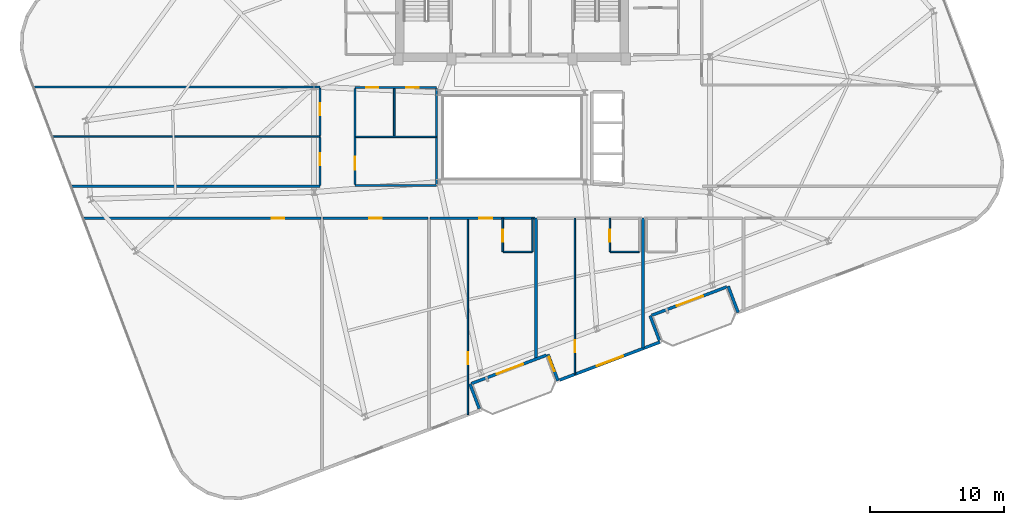
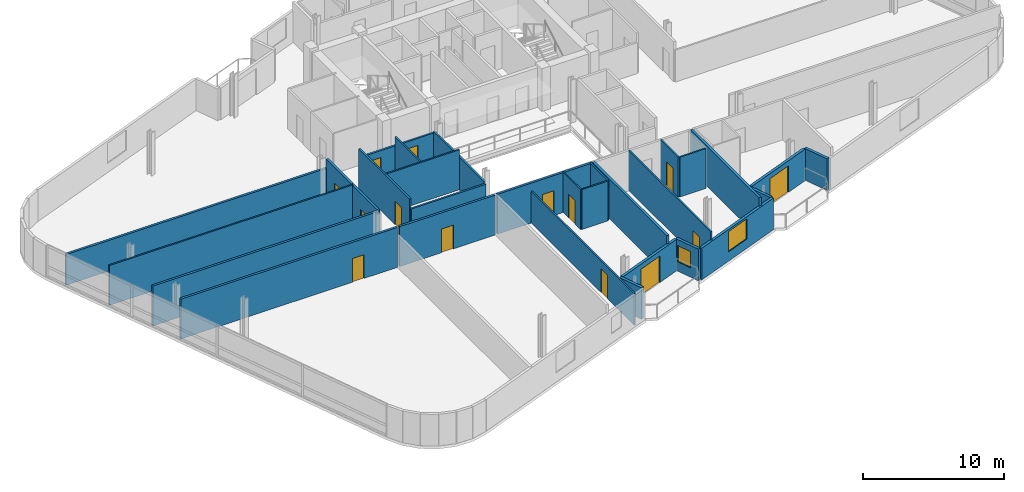
# One storey, part 14 of 20: 30 walls, 14 doors, 2 windows, 16 openings.
"""IFC4 building model written with IfcOpenShell, lengths in metres."""

from ifc_helpers import new_model, si_unit, direction, frame, frame_2d, origin, place, context, subcontext, project, spatial, rectangle, extrude, material, layer, layer_set, type_object, element, fill, save


model = new_model("IFC4")

# Units and contexts
model_context = context("Model", 3, precision=1e-05, world=origin(), true_north=direction((0.0, 1.0)))
body_context = subcontext(model_context, "Body", "Model", "MODEL_VIEW")
ifc_project = project(units=[si_unit("LENGTHUNIT", "METRE"), si_unit("AREAUNIT", "SQUARE_METRE"), si_unit("VOLUMEUNIT", "CUBIC_METRE"), si_unit("PLANEANGLEUNIT", "RADIAN"), si_unit("MASSUNIT", "GRAM", prefix="KILO")], contexts=[model_context])

# Site, building, storey
site_placement = place(None, origin())
site = spatial("IfcSite", under=ifc_project, at=site_placement, CompositionType="ELEMENT")
building_placement = place(site_placement, origin())
building = spatial("IfcBuilding", under=site, at=building_placement, Name="Varnelok Gate Tower", CompositionType="ELEMENT")
storey_placement = place(building_placement, frame((0.0, 0.0, 234.89990234375)))
storey = spatial("IfcBuildingStorey", under=building, at=storey_placement, Name="L60", CompositionType="ELEMENT", Elevation=234.89990234375)

# Wall, opening, door
ifc_material_1 = material(Name="Concrete C45/55", Category="concrete")
ifc_layer_1 = layer(ifc_material_1, 0.219970703125)
ifc_layer_set_1 = layer_set([ifc_layer_1], Name="Concrete C45/55")
wall_type_1 = type_object("IfcWallType", Name="EW-BALC-220", PredefinedType="SOLIDWALL", material=ifc_layer_set_1)
wall_1_placement = place(storey_placement, frame((41.783203125, 6.6142578125, 0.0), z_axis=(0.0, 0.0, 1.0), x_axis=(-0.93521416643, -0.354082565101, 0.0)))
wall_1 = element("IfcWall", 1, at=wall_1_placement, inside=storey, type_object=wall_type_1, Name="L60 South Terrace Envelope Wall 1", PredefinedType="SOLIDWALL", context=body_context, shape_type="SweptSolid", body=[
    extrude(rectangle(XDim=6.0, YDim=0.219970703125, at=frame_2d((3.0, 0.0))), origin(), (0.0, 0.0, 1.0), 2.72998046875),
])
opening_1_placement = place(wall_1_placement, frame((1.887939453125, 0.0, 0.0)))
opening_1 = element("IfcOpeningElement", 2, at=opening_1_placement, cuts=wall_1, Name="Opening BD-2", PredefinedType="OPENING", context=body_context, shape_type="SweptSolid", body=[
    extrude(rectangle(XDim=2.10009765625, YDim=2.300048828125, at=frame_2d((1.050048828125, 1.14990234375))), frame((0.0, 0.119873046875, 0.0), z_axis=(0.0, -1.0, 0.0), x_axis=(1.0, 0.0, 0.0)), (0.0, 0.0, 1.0), 0.239990234375),
])
ifc_material_2 = material(Name="Anodized Aluminum Alloy 6063-T6", Category="aluminium")
door_type_1 = type_object("IfcDoorType", Name="DR-EXT-SLID2100", OperationType="SLIDING_TO_LEFT", PredefinedType="DOOR", material=ifc_material_2)
door_1_placement = place(opening_1_placement, origin())
door_1 = element("IfcDoor", 3, at=door_1_placement, inside=storey, type_object=door_type_1, Name="L60 South Balcony Glazed Door 1", OperationType="SLIDING_TO_LEFT", OverallHeight=2.300048828125, OverallWidth=2.10009765625, PredefinedType="DOOR", context=body_context, shape_type="SweptSolid", body=[
    extrude(rectangle(XDim=2.10009765625, YDim=2.300048828125, at=frame_2d((1.050048828125, 1.14990234375))), frame((0.0, 0.02490234375, 0.0), z_axis=(0.0, -1.0, 0.0), x_axis=(1.0, 0.0, 0.0)), (0.0, 0.0, 1.0), 0.050048828125),
])
fill(opening_1, door_1)

wall_2_placement = place(storey_placement, frame((55.25048828125, 11.712646484375, 0.0), z_axis=(0.0, 0.0, 1.0), x_axis=(-0.935227640088, -0.354046976001, 0.0)))
wall_2 = element("IfcWall", 4, at=wall_2_placement, inside=storey, type_object=wall_type_1, Name="L60 South Terrace Envelope Wall 2", PredefinedType="SOLIDWALL", context=body_context, shape_type="SweptSolid", body=[
    extrude(rectangle(XDim=6.0, YDim=0.219970703125, at=frame_2d((3.0, 0.0))), origin(), (0.0, 0.0, 1.0), 2.72998046875),
])
opening_2_placement = place(wall_2_placement, frame((1.887939453125, 0.0, 0.0)))
opening_2 = element("IfcOpeningElement", 5, at=opening_2_placement, cuts=wall_2, Name="Opening BD-2", PredefinedType="OPENING", context=body_context, shape_type="SweptSolid", body=[
    extrude(rectangle(XDim=2.10009765625, YDim=2.300048828125, at=frame_2d((1.050048828125, 1.14990234375))), frame((0.0, 0.119873046875, 0.0), z_axis=(0.0, -1.0, 0.0), x_axis=(1.0, 0.0, 0.0)), (0.0, 0.0, 1.0), 0.239990234375),
])
door_2_placement = place(opening_2_placement, origin())
door_2 = element("IfcDoor", 6, at=door_2_placement, inside=storey, type_object=door_type_1, Name="L60 South Balcony Glazed Door 2", OperationType="SLIDING_TO_LEFT", OverallHeight=2.300048828125, OverallWidth=2.10009765625, PredefinedType="DOOR", context=body_context, shape_type="SweptSolid", body=[
    extrude(rectangle(XDim=2.10009765625, YDim=2.300048828125, at=frame_2d((1.050048828125, 1.14990234375))), frame((0.0, 0.02490234375, 0.0), z_axis=(0.0, -1.0, 0.0), x_axis=(1.0, 0.0, 0.0)), (0.0, 0.0, 1.0), 0.050048828125),
])
fill(opening_2, door_2)

# Wall
wall_3_placement = place(storey_placement, frame((36.75537109375, 2.609619140625, 0.0), z_axis=(0.0, 0.0, 1.0), x_axis=(-0.354020680661, 0.935237594232, 0.0)))
element("IfcWall", 7, at=wall_3_placement, inside=storey, type_object=wall_type_1, Name="L60 Perimeter Facade Closure Wall 8", PredefinedType="SOLIDWALL", context=body_context, shape_type="SweptSolid", body=[
    extrude(rectangle(XDim=1.97509765625, YDim=0.219970703125, at=frame_2d((0.987548828125, 0.0))), origin(), (0.0, 0.0, 1.0), 2.72998046875),
])

# Wall, opening, window
wall_4_placement = place(storey_placement, frame((41.891845703125, 6.666015625, 0.0), z_axis=(0.0, 0.0, 1.0), x_axis=(0.354128469405, -0.935196785258, 0.0)))
wall_4 = element("IfcWall", 8, at=wall_4_placement, inside=storey, type_object=wall_type_1, Name="L60 Perimeter Facade Closure Wall 9", PredefinedType="SOLIDWALL", context=body_context, shape_type="SweptSolid", body=[
    extrude(rectangle(XDim=2.099853515625, YDim=0.219970703125, at=frame_2d((1.0498046875, 0.0))), origin(), (0.0, 0.0, 1.0), 2.72998046875),
])
opening_3_placement = place(wall_4_placement, frame((0.199951171875, 0.0, 0.800048828125)))
opening_3 = element("IfcOpeningElement", 9, at=opening_3_placement, cuts=wall_4, Name="Opening WN8", PredefinedType="OPENING", context=body_context, shape_type="SweptSolid", body=[
    extrude(rectangle(XDim=1.14990234375, YDim=1.39990234375, at=frame_2d((0.574951171875, 0.699951171875))), frame((0.0, 0.119873046875, 0.0), z_axis=(0.0, -1.0, 0.0), x_axis=(1.0, 0.0, 0.0)), (0.0, 0.0, 1.0), 0.239990234375),
])
ifc_material_3 = material(Name="Low-E Laminated Double Glazing IGU", Category="glass")
window_type_1 = type_object("IfcWindowType", Name="WN-BED-1150", PartitioningType="SINGLE_PANEL", PredefinedType="WINDOW", material=ifc_material_3)
window_1_placement = place(opening_3_placement, origin())
window_1 = element("IfcWindow", 10, at=window_1_placement, inside=storey, type_object=window_type_1, Name="L60 Bedroom Vision Window 41", OverallHeight=1.39990234375, OverallWidth=1.14990234375, PartitioningType="SINGLE_PANEL", PredefinedType="WINDOW", context=body_context, shape_type="SweptSolid", body=[
    extrude(rectangle(XDim=1.14990234375, YDim=1.39990234375, at=frame_2d((0.574951171875, 0.699951171875))), frame((0.0, 0.030029296875, 0.0), z_axis=(0.0, -1.0, 0.0), x_axis=(1.0, 0.0, 0.0)), (0.0, 0.0, 1.0), 0.06005859375),
])
fill(opening_3, window_1)

wall_5_placement = place(storey_placement, frame((42.75244140625, 4.746337890625, 0.0), z_axis=(0.0, 0.0, 1.0), x_axis=(0.935216926991, 0.354075273733, 0.0)))
wall_5 = element("IfcWall", 11, at=wall_5_placement, inside=storey, type_object=wall_type_1, Name="L60 Perimeter Facade Closure Wall 10", PredefinedType="SOLIDWALL", context=body_context, shape_type="SweptSolid", body=[
    extrude(rectangle(XDim=8.034912109375, YDim=0.219970703125, at=frame_2d((4.017578125, 0.0))), origin(), (0.0, 0.0, 1.0), 2.72998046875),
])
opening_4_placement = place(wall_5_placement, frame((2.967529296875, 0.0, 0.800048828125)))
opening_4 = element("IfcOpeningElement", 12, at=opening_4_placement, cuts=wall_5, Name="Opening WN4", PredefinedType="OPENING", context=body_context, shape_type="SweptSolid", body=[
    extrude(rectangle(XDim=2.10009765625, YDim=1.75, at=frame_2d((1.050048828125, 0.875))), frame((0.0, 0.119873046875, 0.0), z_axis=(0.0, -1.0, 0.0), x_axis=(1.0, 0.0, 0.0)), (0.0, 0.0, 1.0), 0.239990234375),
])
window_type_2 = type_object("IfcWindowType", Name="WN-SUI-2100", PartitioningType="SINGLE_PANEL", PredefinedType="WINDOW", material=ifc_material_3)
window_2_placement = place(opening_4_placement, origin())
window_2 = element("IfcWindow", 13, at=window_2_placement, inside=storey, type_object=window_type_2, Name="L60 Perimeter Vision Window 10", OverallHeight=1.75, OverallWidth=2.10009765625, PartitioningType="SINGLE_PANEL", PredefinedType="WINDOW", context=body_context, shape_type="SweptSolid", body=[
    extrude(rectangle(XDim=2.10009765625, YDim=1.75, at=frame_2d((1.050048828125, 0.875))), frame((0.0, 0.030029296875, 0.0), z_axis=(0.0, -1.0, 0.0), x_axis=(1.0, 0.0, 0.0)), (0.0, 0.0, 1.0), 0.06005859375),
])
fill(opening_4, window_2)

# Walls
wall_6_placement = place(storey_placement, frame((50.22265625, 7.7080078125, 0.0), z_axis=(0.0, 0.0, 1.0), x_axis=(-0.354020680661, 0.935237594232, 0.0)))
element("IfcWall", 14, at=wall_6_placement, inside=storey, type_object=wall_type_1, Name="L60 Perimeter Facade Closure Wall 11", PredefinedType="SOLIDWALL", context=body_context, shape_type="SweptSolid", body=[
    extrude(rectangle(XDim=1.97509765625, YDim=0.219970703125, at=frame_2d((0.987548828125, 0.0))), origin(), (0.0, 0.0, 1.0), 2.72998046875),
])
wall_7_placement = place(storey_placement, frame((55.359130859375, 11.764404296875, 0.0), z_axis=(0.0, 0.0, 1.0), x_axis=(0.354026782794, -0.935235284334, 0.0)))
element("IfcWall", 15, at=wall_7_placement, inside=storey, type_object=wall_type_1, Name="L60 Perimeter Facade Closure Wall 12", PredefinedType="SOLIDWALL", context=body_context, shape_type="SweptSolid", body=[
    extrude(rectangle(XDim=2.099853515625, YDim=0.219970703125, at=frame_2d((1.0498046875, 0.0))), origin(), (0.0, 0.0, 1.0), 2.72998046875),
])

# Wall, opening, door
ifc_material_4 = material(Name="Gypsum Plasterboard Acoustic Partition", Category="gypsum")
ifc_layer_2 = layer(ifc_material_4, 0.179931640625)
ifc_layer_set_2 = layer_set([ifc_layer_2], Name="Gypsum Plasterboard Acoustic Partition")
wall_type_2 = type_object("IfcWallType", Name="PW-CORR-180", PredefinedType="PARTITIONING", material=ifc_layer_set_2)
wall_8_placement = place(storey_placement, frame((7.196044921875, 16.85009765625, 0.0), z_axis=(0.0, 0.0, 1.0), x_axis=(1.0, 0.0, 0.0)))
wall_8 = element("IfcWall", 16, at=wall_8_placement, inside=storey, type_object=wall_type_2, Name="Interior Partition", PredefinedType="PARTITIONING", context=body_context, shape_type="SweptSolid", body=[
    extrude(rectangle(XDim=17.723876953125, YDim=0.179931640625, at=frame_2d((8.86181640625, 0.0))), origin(), (0.0, 0.0, 1.0), 3.4501953125),
])
opening_5_placement = place(wall_8_placement, frame((14.02880859375, 0.0, 0.0)))
opening_5 = element("IfcOpeningElement", 17, at=opening_5_placement, cuts=wall_8, Name="Opening D-I2", PredefinedType="OPENING", context=body_context, shape_type="SweptSolid", body=[
    extrude(rectangle(XDim=0.949951171875, YDim=2.050048828125, at=frame_2d((0.47509765625, 1.02490234375))), frame((0.0, 0.099853515625, 0.0), z_axis=(0.0, -1.0, 0.0), x_axis=(1.0, 0.0, 0.0)), (0.0, 0.0, 1.0), 0.199951171875),
])
ifc_material_5 = material(Name="Engineered Hardwood Timber", Category="wood")
door_type_2 = type_object("IfcDoorType", Name="DR-INT-950", OperationType="NOTDEFINED", PredefinedType="DOOR", material=ifc_material_5)
door_3_placement = place(opening_5_placement, origin())
door_3 = element("IfcDoor", 18, at=door_3_placement, inside=storey, type_object=door_type_2, Name="L60 Hotel Business Center Door", OperationType="SINGLE_SWING_LEFT", OverallHeight=2.050048828125, OverallWidth=0.949951171875, PredefinedType="DOOR", context=body_context, shape_type="SweptSolid", body=[
    extrude(rectangle(XDim=0.949951171875, YDim=2.050048828125, at=frame_2d((0.47509765625, 1.02490234375))), frame((0.0, 0.02490234375, 0.0), z_axis=(0.0, -1.0, 0.0), x_axis=(1.0, 0.0, 0.0)), (0.0, 0.0, 1.0), 0.050048828125),
])
fill(opening_5, door_3)

wall_9_placement = place(storey_placement, frame((25.080078125, 16.85009765625, 0.0), z_axis=(0.0, 0.0, 1.0), x_axis=(1.0, 0.0, 0.0)))
wall_9 = element("IfcWall", 19, at=wall_9_placement, inside=storey, type_object=wall_type_2, Name="Interior Partition", PredefinedType="PARTITIONING", context=body_context, shape_type="SweptSolid", body=[
    extrude(rectangle(XDim=7.83984375, YDim=0.179931640625, at=frame_2d((3.919921875, 0.0))), origin(), (0.0, 0.0, 1.0), 3.4501953125),
])
opening_6_placement = place(wall_9_placement, frame((3.445068359375, 0.0, 0.0)))
opening_6 = element("IfcOpeningElement", 20, at=opening_6_placement, cuts=wall_9, Name="Opening D-I2", PredefinedType="OPENING", context=body_context, shape_type="SweptSolid", body=[
    extrude(rectangle(XDim=0.949951171875, YDim=2.050048828125, at=frame_2d((0.47509765625, 1.02490234375))), frame((0.0, 0.099853515625, 0.0), z_axis=(0.0, -1.0, 0.0), x_axis=(1.0, 0.0, 0.0)), (0.0, 0.0, 1.0), 0.199951171875),
])
door_4_placement = place(opening_6_placement, origin())
door_4 = element("IfcDoor", 21, at=door_4_placement, inside=storey, type_object=door_type_2, Name="L60 Executive Business Office 1 Door", OperationType="SINGLE_SWING_LEFT", OverallHeight=2.050048828125, OverallWidth=0.949951171875, PredefinedType="DOOR", context=body_context, shape_type="SweptSolid", body=[
    extrude(rectangle(XDim=0.949951171875, YDim=2.050048828125, at=frame_2d((0.47509765625, 1.02490234375))), frame((0.0, 0.02490234375, 0.0), z_axis=(0.0, -1.0, 0.0), x_axis=(1.0, 0.0, 0.0)), (0.0, 0.0, 1.0), 0.050048828125),
])
fill(opening_6, door_4)

wall_10_placement = place(storey_placement, frame((33.080078125, 16.85009765625, 0.0), z_axis=(0.0, 0.0, 1.0), x_axis=(1.0, 0.0, 0.0)))
wall_10 = element("IfcWall", 22, at=wall_10_placement, inside=storey, type_object=wall_type_2, Name="Interior Partition", PredefinedType="PARTITIONING", context=body_context, shape_type="SweptSolid", body=[
    extrude(rectangle(XDim=7.83984375, YDim=0.179931640625, at=frame_2d((3.919921875, 0.0))), origin(), (0.0, 0.0, 1.0), 3.4501953125),
])
opening_7_placement = place(wall_10_placement, frame((3.679931640625, 0.0, 0.0)))
opening_7 = element("IfcOpeningElement", 23, at=opening_7_placement, cuts=wall_10, Name="Opening D-HT", PredefinedType="OPENING", context=body_context, shape_type="SweptSolid", body=[
    extrude(rectangle(XDim=0.949951171875, YDim=2.14990234375, at=frame_2d((0.47509765625, 1.074951171875))), frame((0.0, 0.099853515625, 0.0), z_axis=(0.0, -1.0, 0.0), x_axis=(1.0, 0.0, 0.0)), (0.0, 0.0, 1.0), 0.199951171875),
])
door_type_3 = type_object("IfcDoorType", Name="DR-HTL-950", OperationType="NOTDEFINED", PredefinedType="DOOR", material=ifc_material_5)
door_5_placement = place(opening_7_placement, origin())
door_5 = element("IfcDoor", 24, at=door_5_placement, inside=storey, type_object=door_type_3, Name="L60 Guest Room 03 Entrance Door", OperationType="SINGLE_SWING_RIGHT", OverallHeight=2.14990234375, OverallWidth=0.949951171875, PredefinedType="DOOR", context=body_context, shape_type="SweptSolid", body=[
    extrude(rectangle(XDim=0.949951171875, YDim=2.14990234375, at=frame_2d((0.47509765625, 1.074951171875))), frame((0.0, 0.02490234375, 0.0), z_axis=(0.0, -1.0, 0.0), x_axis=(1.0, 0.0, 0.0)), (0.0, 0.0, 1.0), 0.050048828125),
])
fill(opening_7, door_5)

wall_11_placement = place(storey_placement, frame((24.85009765625, 19.300048828125, 0.0), z_axis=(0.0, 0.0, 1.0), x_axis=(0.0, 1.0, 0.0)))
wall_11 = element("IfcWall", 25, at=wall_11_placement, inside=storey, type_object=wall_type_2, Name="Interior Partition", PredefinedType="PARTITIONING", context=body_context, shape_type="SweptSolid", body=[
    extrude(rectangle(XDim=3.570068359375, YDim=0.179931640625, at=frame_2d((1.78515625, 0.0))), origin(), (0.0, 0.0, 1.0), 3.4501953125),
])
opening_8_placement = place(wall_11_placement, frame((1.49951171875, 0.0, 0.0)))
opening_8 = element("IfcOpeningElement", 26, at=opening_8_placement, cuts=wall_11, Name="Opening D-I3", PredefinedType="OPENING", context=body_context, shape_type="SweptSolid", body=[
    extrude(rectangle(XDim=0.919921875, YDim=2.050048828125, at=frame_2d((0.4599609375, 1.02490234375))), frame((0.0, 0.099853515625, 0.0), z_axis=(0.0, -1.0, 0.0), x_axis=(1.0, 0.0, 0.0)), (0.0, 0.0, 1.0), 0.199951171875),
])
door_type_4 = type_object("IfcDoorType", Name="DR-INT-920", OperationType="NOTDEFINED", PredefinedType="DOOR", material=ifc_material_5)
door_6_placement = place(opening_8_placement, origin())
door_6 = element("IfcDoor", 27, at=door_6_placement, inside=storey, type_object=door_type_4, Name="L60 West Wing Room 1 Door", OperationType="SINGLE_SWING_LEFT", OverallHeight=2.050048828125, OverallWidth=0.919921875, PredefinedType="DOOR", context=body_context, shape_type="SweptSolid", body=[
    extrude(rectangle(XDim=0.919921875, YDim=2.050048828125, at=frame_2d((0.4599609375, 1.02490234375))), frame((0.0, 0.02490234375, 0.0), z_axis=(0.0, -1.0, 0.0), x_axis=(1.0, 0.0, 0.0)), (0.0, 0.0, 1.0), 0.050048828125),
])
fill(opening_8, door_6)

wall_12_placement = place(storey_placement, frame((24.85009765625, 23.030029296875, 0.0), z_axis=(0.0, 0.0, 1.0), x_axis=(0.0, 1.0, 0.0)))
wall_12 = element("IfcWall", 28, at=wall_12_placement, inside=storey, type_object=wall_type_2, Name="Interior Partition", PredefinedType="PARTITIONING", context=body_context, shape_type="SweptSolid", body=[
    extrude(rectangle(XDim=3.570068359375, YDim=0.179931640625, at=frame_2d((1.78515625, 0.0))), origin(), (0.0, 0.0, 1.0), 3.4501953125),
])
opening_9_placement = place(wall_12_placement, frame((1.49951171875, 0.0, 0.0)))
opening_9 = element("IfcOpeningElement", 29, at=opening_9_placement, cuts=wall_12, Name="Opening D-I3", PredefinedType="OPENING", context=body_context, shape_type="SweptSolid", body=[
    extrude(rectangle(XDim=0.919921875, YDim=2.050048828125, at=frame_2d((0.4599609375, 1.02490234375))), frame((0.0, 0.099853515625, 0.0), z_axis=(0.0, -1.0, 0.0), x_axis=(1.0, 0.0, 0.0)), (0.0, 0.0, 1.0), 0.199951171875),
])
door_7_placement = place(opening_9_placement, origin())
door_7 = element("IfcDoor", 30, at=door_7_placement, inside=storey, type_object=door_type_4, Name="L60 West Wing Room 2 Door", OperationType="SINGLE_SWING_RIGHT", OverallHeight=2.050048828125, OverallWidth=0.919921875, PredefinedType="DOOR", context=body_context, shape_type="SweptSolid", body=[
    extrude(rectangle(XDim=0.919921875, YDim=2.050048828125, at=frame_2d((0.4599609375, 1.02490234375))), frame((0.0, 0.02490234375, 0.0), z_axis=(0.0, -1.0, 0.0), x_axis=(1.0, 0.0, 0.0)), (0.0, 0.0, 1.0), 0.050048828125),
])
fill(opening_9, door_7)

# Walls
wall_13_placement = place(storey_placement, frame((6.291259765625, 19.239990234375, 0.0), z_axis=(0.0, 0.0, 1.0), x_axis=(1.0, 0.0, 0.0)))
element("IfcWall", 31, at=wall_13_placement, inside=storey, type_object=wall_type_2, Name="Interior Partition", PredefinedType="PARTITIONING", context=body_context, shape_type="SweptSolid", body=[
    extrude(rectangle(XDim=18.558837890625, YDim=0.179931640625, at=frame_2d((9.279296875, 0.0))), origin(), (0.0, 0.0, 1.0), 3.4501953125),
])
wall_14_placement = place(storey_placement, frame((3.482177734375, 26.659912109375, 0.0), z_axis=(0.0, 0.0, 1.0), x_axis=(1.0, 0.0, 0.0)))
element("IfcWall", 32, at=wall_14_placement, inside=storey, type_object=wall_type_2, Name="Interior Partition", PredefinedType="PARTITIONING", context=body_context, shape_type="SweptSolid", body=[
    extrude(rectangle(XDim=21.367919921875, YDim=0.179931640625, at=frame_2d((10.68408203125, 0.0))), origin(), (0.0, 0.0, 1.0), 2.662109375),
])
ifc_layer_3 = layer(ifc_material_4, 0.114990234375)
ifc_layer_set_3 = layer_set([ifc_layer_3], Name="Gypsum Plasterboard Acoustic Partition")
wall_type_3 = type_object("IfcWallType", Name="PW-ENS-125", PredefinedType="PARTITIONING", material=ifc_layer_set_3)
wall_15_placement = place(storey_placement, frame((38.550048828125, 14.330078125, 0.0), z_axis=(0.0, 0.0, 1.0), x_axis=(1.0, 0.0, 0.0)))
element("IfcWall", 33, at=wall_15_placement, inside=storey, type_object=wall_type_3, Name="Interior Partition", PredefinedType="PARTITIONING", context=body_context, shape_type="SweptSolid", body=[
    extrude(rectangle(XDim=2.14990234375, YDim=0.114990234375, at=frame_2d((1.074951171875, 0.0))), origin(), (0.0, 0.0, 1.0), 3.4501953125),
])

# Wall, opening, door
wall_16_placement = place(storey_placement, frame((38.510009765625, 14.330078125, 0.0), z_axis=(0.0, 0.0, 1.0), x_axis=(0.0, 1.0, 0.0)))
wall_16 = element("IfcWall", 34, at=wall_16_placement, inside=storey, type_object=wall_type_3, Name="Interior Partition", PredefinedType="PARTITIONING", context=body_context, shape_type="SweptSolid", body=[
    extrude(rectangle(XDim=2.52001953125, YDim=0.114990234375, at=frame_2d((1.260009765625, 0.0))), origin(), (0.0, 0.0, 1.0), 3.4501953125),
])
opening_10_placement = place(wall_16_placement, frame((0.760009765625, 0.0, 0.0)))
opening_10 = element("IfcOpeningElement", 35, at=opening_10_placement, cuts=wall_16, Name="Opening D-WC", PredefinedType="OPENING", context=body_context, shape_type="SweptSolid", body=[
    extrude(rectangle(XDim=0.89990234375, YDim=2.050048828125, at=frame_2d((0.449951171875, 1.02490234375))), frame((0.0, 0.0673828125, 0.0), z_axis=(0.0, -1.0, 0.0), x_axis=(1.0, 0.0, 0.0)), (0.0, 0.0, 1.0), 0.135009765625),
])
door_type_5 = type_object("IfcDoorType", Name="DR-BATH-900", OperationType="NOTDEFINED", PredefinedType="DOOR", material=ifc_material_5)
door_8_placement = place(opening_10_placement, origin())
door_8 = element("IfcDoor", 36, at=door_8_placement, inside=storey, type_object=door_type_5, Name="L60 Guest En-Suite 03 Door", OperationType="SINGLE_SWING_RIGHT", OverallHeight=2.050048828125, OverallWidth=0.89990234375, PredefinedType="DOOR", context=body_context, shape_type="SweptSolid", body=[
    extrude(rectangle(XDim=0.89990234375, YDim=2.050048828125, at=frame_2d((0.449951171875, 1.02490234375))), frame((0.0, 0.02490234375, 0.0), z_axis=(0.0, -1.0, 0.0), x_axis=(1.0, 0.0, 0.0)), (0.0, 0.0, 1.0), 0.050048828125),
])
fill(opening_10, door_8)

# Walls
wall_17_placement = place(storey_placement, frame((40.739990234375, 14.330078125, 0.0), z_axis=(0.0, 0.0, 1.0), x_axis=(0.0, 1.0, 0.0)))
element("IfcWall", 37, at=wall_17_placement, inside=storey, type_object=wall_type_3, Name="Interior Partition", PredefinedType="PARTITIONING", context=body_context, shape_type="SweptSolid", body=[
    extrude(rectangle(XDim=2.52001953125, YDim=0.114990234375, at=frame_2d((1.260009765625, 0.0))), origin(), (0.0, 0.0, 1.0), 3.4501953125),
])
wall_18_placement = place(storey_placement, frame((46.550048828125, 14.330078125, 0.0), z_axis=(0.0, 0.0, 1.0), x_axis=(1.0, 0.0, 0.0)))
element("IfcWall", 38, at=wall_18_placement, inside=storey, type_object=wall_type_3, Name="Interior Partition", PredefinedType="PARTITIONING", context=body_context, shape_type="SweptSolid", body=[
    extrude(rectangle(XDim=2.14990234375, YDim=0.114990234375, at=frame_2d((1.074951171875, 0.0))), origin(), (0.0, 0.0, 1.0), 3.4501953125),
])

# Wall, opening, door
wall_19_placement = place(storey_placement, frame((46.510009765625, 14.330078125, 0.0), z_axis=(0.0, 0.0, 1.0), x_axis=(0.0, 1.0, 0.0)))
wall_19 = element("IfcWall", 39, at=wall_19_placement, inside=storey, type_object=wall_type_3, Name="Interior Partition", PredefinedType="PARTITIONING", context=body_context, shape_type="SweptSolid", body=[
    extrude(rectangle(XDim=2.52001953125, YDim=0.114990234375, at=frame_2d((1.260009765625, 0.0))), origin(), (0.0, 0.0, 1.0), 3.4501953125),
])
opening_11_placement = place(wall_19_placement, frame((0.760009765625, 0.0, 0.0)))
opening_11 = element("IfcOpeningElement", 40, at=opening_11_placement, cuts=wall_19, Name="Opening D-WC", PredefinedType="OPENING", context=body_context, shape_type="SweptSolid", body=[
    extrude(rectangle(XDim=0.89990234375, YDim=2.050048828125, at=frame_2d((0.449951171875, 1.02490234375))), frame((0.0, 0.0673828125, 0.0), z_axis=(0.0, -1.0, 0.0), x_axis=(1.0, 0.0, 0.0)), (0.0, 0.0, 1.0), 0.135009765625),
])
door_9_placement = place(opening_11_placement, origin())
door_9 = element("IfcDoor", 41, at=door_9_placement, inside=storey, type_object=door_type_5, Name="L60 Guest En-Suite 04 Door", OperationType="SINGLE_SWING_RIGHT", OverallHeight=2.050048828125, OverallWidth=0.89990234375, PredefinedType="DOOR", context=body_context, shape_type="SweptSolid", body=[
    extrude(rectangle(XDim=0.89990234375, YDim=2.050048828125, at=frame_2d((0.449951171875, 1.02490234375))), frame((0.0, 0.02490234375, 0.0), z_axis=(0.0, -1.0, 0.0), x_axis=(1.0, 0.0, 0.0)), (0.0, 0.0, 1.0), 0.050048828125),
])
fill(opening_11, door_9)

ifc_layer_4 = layer(ifc_material_4, 0.125)
ifc_layer_set_4 = layer_set([ifc_layer_4], Name="Gypsum Plasterboard Acoustic Partition")
wall_type_4 = type_object("IfcWallType", Name="PW-PART-125", PredefinedType="PARTITIONING", material=ifc_layer_set_4)
wall_20_placement = place(storey_placement, frame((35.89990234375, 2.173583984375, 0.0), z_axis=(0.0, 0.0, 1.0), x_axis=(0.0, 1.0, 0.0)))
wall_20 = element("IfcWall", 42, at=wall_20_placement, inside=storey, type_object=wall_type_4, Name="Interior Partition", PredefinedType="PARTITIONING", context=body_context, shape_type="SweptSolid", body=[
    extrude(rectangle(XDim=14.676513671875, YDim=0.125, at=frame_2d((7.33837890625, 0.0))), origin(), (0.0, 0.0, 1.0), 2.739013671875),
])
opening_12_placement = place(wall_20_placement, frame((3.75244140625, 0.0, 0.0)))
opening_12 = element("IfcOpeningElement", 43, at=opening_12_placement, cuts=wall_20, Name="Opening D-I3", PredefinedType="OPENING", context=body_context, shape_type="SweptSolid", body=[
    extrude(rectangle(XDim=0.919921875, YDim=2.050048828125, at=frame_2d((0.4599609375, 1.02490234375))), frame((0.0, 0.072509765625, 0.0), z_axis=(0.0, -1.0, 0.0), x_axis=(1.0, 0.0, 0.0)), (0.0, 0.0, 1.0), 0.14501953125),
])
door_10_placement = place(opening_12_placement, origin())
door_10 = element("IfcDoor", 44, at=door_10_placement, inside=storey, type_object=door_type_4, Name="L60 Suite Bedroom Door 3", OperationType="SINGLE_SWING_LEFT", OverallHeight=2.050048828125, OverallWidth=0.919921875, PredefinedType="DOOR", context=body_context, shape_type="SweptSolid", body=[
    extrude(rectangle(XDim=0.919921875, YDim=2.050048828125, at=frame_2d((0.4599609375, 1.02490234375))), frame((0.0, 0.02490234375, 0.0), z_axis=(0.0, -1.0, 0.0), x_axis=(1.0, 0.0, 0.0)), (0.0, 0.0, 1.0), 0.050048828125),
])
fill(opening_12, door_10)

wall_21_placement = place(storey_placement, frame((43.89990234375, 5.2021484375, 0.0), z_axis=(0.0, 0.0, 1.0), x_axis=(0.0, 1.0, 0.0)))
wall_21 = element("IfcWall", 45, at=wall_21_placement, inside=storey, type_object=wall_type_4, Name="Interior Partition", PredefinedType="PARTITIONING", context=body_context, shape_type="SweptSolid", body=[
    extrude(rectangle(XDim=11.64794921875, YDim=0.125, at=frame_2d((5.823974609375, 0.0))), origin(), (0.0, 0.0, 1.0), 3.4501953125),
])
opening_13_placement = place(wall_21_placement, frame((1.610107421875, 0.0, 0.0)))
opening_13 = element("IfcOpeningElement", 46, at=opening_13_placement, cuts=wall_21, Name="Opening D-I3", PredefinedType="OPENING", context=body_context, shape_type="SweptSolid", body=[
    extrude(rectangle(XDim=0.919921875, YDim=2.050048828125, at=frame_2d((0.4599609375, 1.02490234375))), frame((0.0, 0.072509765625, 0.0), z_axis=(0.0, -1.0, 0.0), x_axis=(1.0, 0.0, 0.0)), (0.0, 0.0, 1.0), 0.14501953125),
])
door_11_placement = place(opening_13_placement, origin())
door_11 = element("IfcDoor", 47, at=door_11_placement, inside=storey, type_object=door_type_4, Name="L60 Suite Bedroom Door 4", OperationType="SINGLE_SWING_LEFT", OverallHeight=2.050048828125, OverallWidth=0.919921875, PredefinedType="DOOR", context=body_context, shape_type="SweptSolid", body=[
    extrude(rectangle(XDim=0.919921875, YDim=2.050048828125, at=frame_2d((0.4599609375, 1.02490234375))), frame((0.0, 0.02490234375, 0.0), z_axis=(0.0, -1.0, 0.0), x_axis=(1.0, 0.0, 0.0)), (0.0, 0.0, 1.0), 0.050048828125),
])
fill(opening_13, door_11)

# Walls
wall_22_placement = place(storey_placement, frame((4.88671875, 22.949951171875, 0.0), z_axis=(0.0, 0.0, 1.0), x_axis=(1.0, 0.0, 0.0)))
element("IfcWall", 48, at=wall_22_placement, inside=storey, type_object=wall_type_4, Name="Interior Partition", PredefinedType="PARTITIONING", context=body_context, shape_type="SweptSolid", body=[
    extrude(rectangle(XDim=19.96337890625, YDim=0.125, at=frame_2d((9.981689453125, 0.0))), origin(), (0.0, 0.0, 1.0), 3.4501953125),
])
wall_23_placement = place(storey_placement, frame((27.52001953125, 22.929931640625, 0.0), z_axis=(0.0, 0.0, 1.0), x_axis=(1.0, 0.0, 0.0)))
element("IfcWall", 49, at=wall_23_placement, inside=storey, type_object=wall_type_4, Name="Interior Partition", PredefinedType="PARTITIONING", context=body_context, shape_type="SweptSolid", body=[
    extrude(rectangle(XDim=6.0, YDim=0.125, at=frame_2d((3.0, 0.0))), origin(), (0.0, 0.0, 1.0), 3.4501953125),
])
wall_24_placement = place(storey_placement, frame((30.39990234375, 23.0, 0.0), z_axis=(0.0, 0.0, 1.0), x_axis=(0.0, 1.0, 0.0)))
element("IfcWall", 50, at=wall_24_placement, inside=storey, type_object=wall_type_4, Name="Interior Partition", PredefinedType="PARTITIONING", context=body_context, shape_type="SweptSolid", body=[
    extrude(rectangle(XDim=3.5400390625, YDim=0.125, at=frame_2d((1.77001953125, 0.0))), origin(), (0.0, 0.0, 1.0), 3.4501953125),
])
ifc_layer_5 = layer(ifc_material_4, 0.14990234375)
ifc_layer_set_5 = layer_set([ifc_layer_5], Name="Gypsum Plasterboard Acoustic Partition")
wall_type_5 = type_object("IfcWallType", Name="PW-PART-150", PredefinedType="PARTITIONING", material=ifc_layer_set_5)
wall_25_placement = place(storey_placement, frame((27.4599609375, 19.300048828125, 0.0), z_axis=(0.0, 0.0, 1.0), x_axis=(1.0, 0.0, 0.0)))
element("IfcWall", 51, at=wall_25_placement, inside=storey, type_object=wall_type_5, Name="Interior Partition", PredefinedType="PARTITIONING", context=body_context, shape_type="SweptSolid", body=[
    extrude(rectangle(XDim=6.10009765625, YDim=0.14990234375, at=frame_2d((3.050048828125, 0.0))), origin(), (0.0, 0.0, 1.0), 2.662109375),
])

# Wall, openings, doors
wall_26_placement = place(storey_placement, frame((27.4599609375, 26.6201171875, 0.0), z_axis=(0.0, 0.0, 1.0), x_axis=(1.0, 0.0, 0.0)))
wall_26 = element("IfcWall", 52, at=wall_26_placement, inside=storey, type_object=wall_type_5, Name="Interior Partition", PredefinedType="PARTITIONING", context=body_context, shape_type="SweptSolid", body=[
    extrude(rectangle(XDim=6.10009765625, YDim=0.14990234375, at=frame_2d((3.050048828125, 0.0))), origin(), (0.0, 0.0, 1.0), 2.662109375),
])
opening_14_placement = place(wall_26_placement, frame((0.85009765625, 0.0, 0.0)))
opening_14 = element("IfcOpeningElement", 53, at=opening_14_placement, cuts=wall_26, Name="Opening D-WC", PredefinedType="OPENING", context=body_context, shape_type="SweptSolid", body=[
    extrude(rectangle(XDim=0.89990234375, YDim=2.050048828125, at=frame_2d((0.449951171875, 1.02490234375))), frame((0.0, 0.0849609375, 0.0), z_axis=(0.0, -1.0, 0.0), x_axis=(1.0, 0.0, 0.0)), (0.0, 0.0, 1.0), 0.169921875),
])
opening_15_placement = place(wall_26_placement, frame((3.85009765625, 0.0, 0.0)))
opening_15 = element("IfcOpeningElement", 54, at=opening_15_placement, cuts=wall_26, Name="Opening D-I3", PredefinedType="OPENING", context=body_context, shape_type="SweptSolid", body=[
    extrude(rectangle(XDim=0.919921875, YDim=2.050048828125, at=frame_2d((0.4599609375, 1.02490234375))), frame((0.0, 0.0849609375, 0.0), z_axis=(0.0, -1.0, 0.0), x_axis=(1.0, 0.0, 0.0)), (0.0, 0.0, 1.0), 0.169921875),
])
door_12_placement = place(opening_14_placement, origin())
door_12 = element("IfcDoor", 55, at=door_12_placement, inside=storey, type_object=door_type_5, Name="L60 Accessible Floor WC Door", OperationType="SINGLE_SWING_RIGHT", OverallHeight=2.050048828125, OverallWidth=0.89990234375, PredefinedType="DOOR", context=body_context, shape_type="SweptSolid", body=[
    extrude(rectangle(XDim=0.89990234375, YDim=2.050048828125, at=frame_2d((0.449951171875, 1.02490234375))), frame((0.0, 0.02490234375, 0.0), z_axis=(0.0, -1.0, 0.0), x_axis=(1.0, 0.0, 0.0)), (0.0, 0.0, 1.0), 0.050048828125),
])
fill(opening_14, door_12)
door_13_placement = place(opening_15_placement, origin())
door_13 = element("IfcDoor", 56, at=door_13_placement, inside=storey, type_object=door_type_4, Name="L60 Cleaner Supply Door", OperationType="SINGLE_SWING_LEFT", OverallHeight=2.050048828125, OverallWidth=0.919921875, PredefinedType="DOOR", context=body_context, shape_type="SweptSolid", body=[
    extrude(rectangle(XDim=0.919921875, YDim=2.050048828125, at=frame_2d((0.4599609375, 1.02490234375))), frame((0.0, 0.02490234375, 0.0), z_axis=(0.0, -1.0, 0.0), x_axis=(1.0, 0.0, 0.0)), (0.0, 0.0, 1.0), 0.050048828125),
])
fill(opening_15, door_13)

# Wall, opening, door
wall_27_placement = place(storey_placement, frame((27.4599609375, 19.3798828125, 0.0), z_axis=(0.0, 0.0, 1.0), x_axis=(0.0, 1.0, 0.0)))
wall_27 = element("IfcWall", 57, at=wall_27_placement, inside=storey, type_object=wall_type_5, Name="Interior Partition", PredefinedType="PARTITIONING", context=body_context, shape_type="SweptSolid", body=[
    extrude(rectangle(XDim=7.16015625, YDim=0.14990234375, at=frame_2d((3.580078125, 0.0))), origin(), (0.0, 0.0, 1.0), 3.4501953125),
])
opening_16_placement = place(wall_27_placement, frame((1.10009765625, 0.0, 0.0)))
opening_16 = element("IfcOpeningElement", 58, at=opening_16_placement, cuts=wall_27, Name="Opening D-I2", PredefinedType="OPENING", context=body_context, shape_type="SweptSolid", body=[
    extrude(rectangle(XDim=0.949951171875, YDim=2.050048828125, at=frame_2d((0.47509765625, 1.02490234375))), frame((0.0, 0.0849609375, 0.0), z_axis=(0.0, -1.0, 0.0), x_axis=(1.0, 0.0, 0.0)), (0.0, 0.0, 1.0), 0.169921875),
])
door_14_placement = place(opening_16_placement, origin())
door_14 = element("IfcDoor", 59, at=door_14_placement, inside=storey, type_object=door_type_2, Name="L60 Spa Treatment Suite Door", OperationType="SINGLE_SWING_LEFT", OverallHeight=2.050048828125, OverallWidth=0.949951171875, PredefinedType="DOOR", context=body_context, shape_type="SweptSolid", body=[
    extrude(rectangle(XDim=0.949951171875, YDim=2.050048828125, at=frame_2d((0.47509765625, 1.02490234375))), frame((0.0, 0.02490234375, 0.0), z_axis=(0.0, -1.0, 0.0), x_axis=(1.0, 0.0, 0.0)), (0.0, 0.0, 1.0), 0.050048828125),
])
fill(opening_16, door_14)

# Walls
wall_28_placement = place(storey_placement, frame((33.56005859375, 19.3798828125, 0.0), z_axis=(0.0, 0.0, 1.0), x_axis=(0.0, 1.0, 0.0)))
element("IfcWall", 60, at=wall_28_placement, inside=storey, type_object=wall_type_5, Name="Interior Partition", PredefinedType="PARTITIONING", context=body_context, shape_type="SweptSolid", body=[
    extrude(rectangle(XDim=7.16015625, YDim=0.14990234375, at=frame_2d((3.580078125, 0.0))), origin(), (0.0, 0.0, 1.0), 2.82421875),
])
ifc_layer_6 = layer(ifc_material_4, 0.205078125)
ifc_layer_set_6 = layer_set([ifc_layer_6], Name="Gypsum Plasterboard Acoustic Partition")
wall_type_6 = type_object("IfcWallType", Name="PW-PARTY-200", PredefinedType="PARTITIONING", material=ifc_layer_set_6)
wall_29_placement = place(storey_placement, frame((41.0, 6.349609375, 0.0), z_axis=(0.0, 0.0, 1.0), x_axis=(0.0, 1.0, 0.0)))
element("IfcWall", 61, at=wall_29_placement, inside=storey, type_object=wall_type_6, Name="L60 South Party Wall 3", PredefinedType="PARTITIONING", context=body_context, shape_type="SweptSolid", body=[
    extrude(rectangle(XDim=10.50048828125, YDim=0.205078125, at=frame_2d((5.250244140625, 0.0))), origin(), (0.0, 0.0, 1.0), 3.4501953125),
])
wall_30_placement = place(storey_placement, frame((49.0, 7.133056640625, 0.0), z_axis=(0.0, 0.0, 1.0), x_axis=(0.0, 1.0, 0.0)))
element("IfcWall", 62, at=wall_30_placement, inside=storey, type_object=wall_type_6, Name="L60 South Party Wall 4", PredefinedType="PARTITIONING", context=body_context, shape_type="SweptSolid", body=[
    extrude(rectangle(XDim=9.717041015625, YDim=0.205078125, at=frame_2d((4.8583984375, 0.0))), origin(), (0.0, 0.0, 1.0), 3.4501953125),
])

save(model, "model.ifc")
